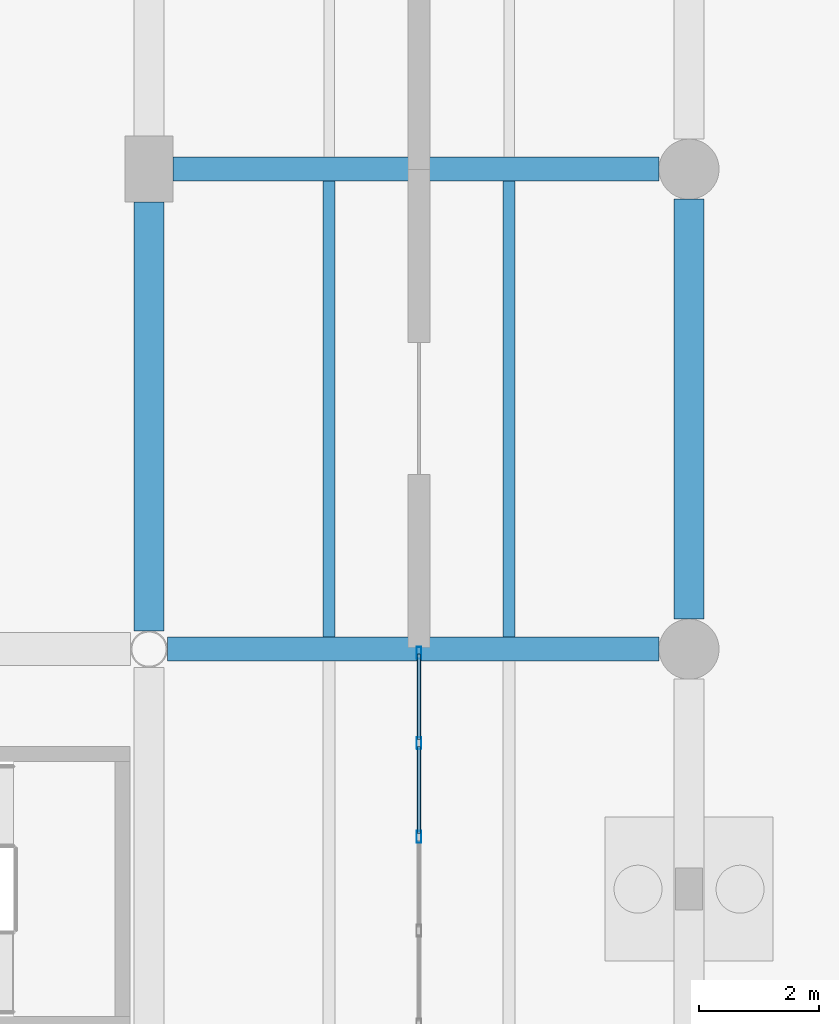
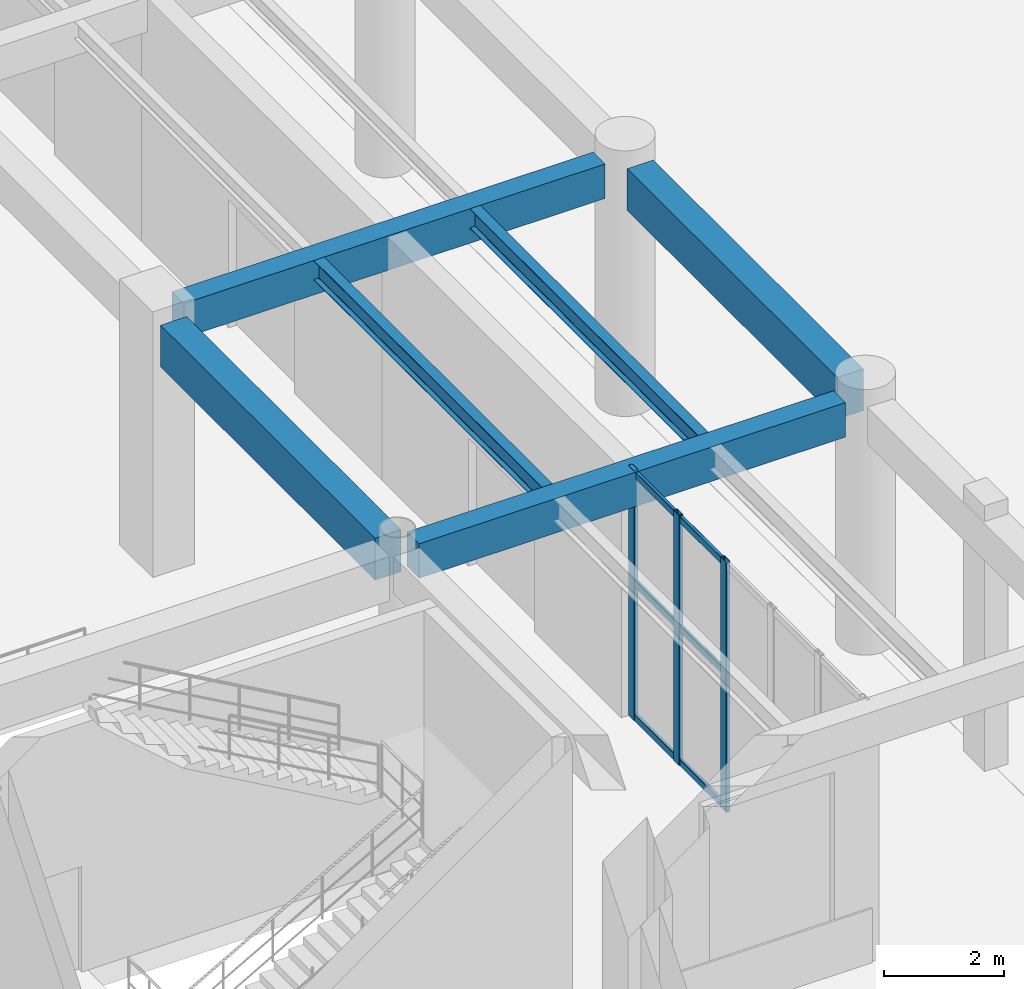
# One storey, part 25 of 121: 9 members, 6 beams, 1 element without a shape of its own.
"""IFC4 building model written with IfcOpenShell, lengths in metres."""

from ifc_helpers import new_model, si_unit, derived_unit, direction, frame, origin, origin_2d, place, context, subcontext, project, spatial, rectangle, hollow_rectangle, i_section, extrude, material, material_profile, profile_set, type_object, element, aggregate, save


model = new_model("IFC4")

# Units and contexts
model_context = context("Model", 3, precision=1e-05, world=origin(), true_north=direction((0.0, 1.0)))
body_context = subcontext(model_context, "Body", "Model", "MODEL_VIEW")
ifc_project = project(units=[si_unit("LENGTHUNIT", "METRE"), si_unit("AREAUNIT", "SQUARE_METRE"), si_unit("VOLUMEUNIT", "CUBIC_METRE"), si_unit("PLANEANGLEUNIT", "RADIAN"), si_unit("MASSUNIT", "GRAM", prefix="KILO"), derived_unit("THERMALTRANSMITTANCEUNIT", [(si_unit("MASSUNIT", "GRAM", prefix="KILO"), 1), (si_unit("TIMEUNIT", "SECOND"), -3), (si_unit("THERMODYNAMICTEMPERATUREUNIT", "KELVIN"), -1)])], contexts=[model_context])

# Site, building, storey
site_placement = place(None, origin())
site = spatial("IfcSite", under=ifc_project, at=site_placement, CompositionType="ELEMENT")
building_placement = place(site_placement, origin())
building = spatial("IfcBuilding", under=site, at=building_placement, Name="Zhenchuan Archway Interchange", CompositionType="ELEMENT")
storey_placement = place(building_placement, origin())
storey = spatial("IfcBuildingStorey", under=building, at=storey_placement, Name="L00", CompositionType="ELEMENT", Elevation=0.0)

# Beams
ifc_material_1 = material(Name="Concrete C40", Category="concrete")
ifc_material_profile_1 = material_profile(ifc_material_1, rectangle(XDim=0.5, YDim=0.85009765625, at=origin_2d()), Name="RC 500x850")
ifc_profile_set_1 = profile_set([ifc_material_profile_1], Name="Concrete C40")
beam_type_1 = type_object("IfcBeamType", Name="BM_RC_500x850", PredefinedType="BEAM", material=ifc_profile_set_1)
beam_1_placement = place(storey_placement, frame((63.0, 32.304931640625, 4.655029296875), z_axis=(0.0, 1.0, 0.0), x_axis=(-1.0, 0.0, 0.0)))
element("IfcBeam", 1, at=beam_1_placement, inside=storey, type_object=beam_type_1, Name="Beam 8:E-F (L00)", PredefinedType="BEAM", context=body_context, shape_type="SweptSolid", body=[
    extrude(rectangle(XDim=0.5, YDim=0.85009765625, at=origin_2d()), origin(), (0.0, 0.0, 1.0), 7.14501953125),
])
beam_2_placement = place(storey_placement, frame((72.0, 32.5, 4.655029296875), z_axis=(0.0, 1.0, 0.0), x_axis=(-1.0, 0.0, 0.0)))
element("IfcBeam", 2, at=beam_2_placement, inside=storey, type_object=beam_type_1, Name="Beam 9:E-F (L00)", PredefinedType="BEAM", context=body_context, shape_type="SweptSolid", body=[
    extrude(rectangle(XDim=0.5, YDim=0.85009765625, at=origin_2d()), origin(), (0.0, 0.0, 1.0), 7.0),
])

# Curtain wall, members
ifc_material_2 = material(Name="Anodised Aluminium", Category="aluminium")
curtain_wall_type = type_object("IfcCurtainWallType", Name="CW_UNIT_1", PredefinedType="NOTDEFINED", material=ifc_material_2)
curtain_wall_placement = place(storey_placement, origin())
curtain_wall = element("IfcCurtainWall", 3, at=curtain_wall_placement, inside=storey, type_object=curtain_wall_type, Name="Unitised curtain wall CW:L00:008", PredefinedType="NOTDEFINED")
ifc_material_profile_2 = material_profile(ifc_material_2, hollow_rectangle(XDim=0.080078125, YDim=0.199951171875, WallThickness=0.00439453125, InnerFilletRadius=0.00439453125, OuterFilletRadius=0.009033203125, at=origin_2d()), Name="ALU 200x80x4.5")
ifc_profile_set_2 = profile_set([ifc_material_profile_2], Name="Anodised Aluminium")
member_type_1 = type_object("IfcMemberType", Name="CW_MUL_200", PredefinedType="MULLION", material=ifc_profile_set_2)
member_1_placement = place(storey_placement, frame((67.5, 31.93994140625, 0.0), z_axis=(0.0, 0.0, 1.0), x_axis=(1.0, 0.0, 0.0)))
member_1 = element("IfcMember", 4, at=member_1_placement, type_object=member_type_1, Name="CW:L00:008 mullion 0", PredefinedType="MULLION", context=body_context, shape_type="SweptSolid", body=[
    extrude(hollow_rectangle(XDim=0.080078125, YDim=0.199951171875, WallThickness=0.00439453125, InnerFilletRadius=0.00439453125, OuterFilletRadius=0.009033203125, at=origin_2d()), origin(), (0.0, 0.0, 1.0), 5.080078125),
])
member_2_placement = place(storey_placement, frame((67.5, 30.43603515625, 0.0), z_axis=(0.0, 0.0, 1.0), x_axis=(1.0, 0.0, 0.0)))
member_2 = element("IfcMember", 5, at=member_2_placement, type_object=member_type_1, Name="CW:L00:008 mullion 1", PredefinedType="MULLION", context=body_context, shape_type="SweptSolid", body=[
    extrude(hollow_rectangle(XDim=0.080078125, YDim=0.199951171875, WallThickness=0.00439453125, InnerFilletRadius=0.00439453125, OuterFilletRadius=0.009033203125, at=origin_2d()), origin(), (0.0, 0.0, 1.0), 5.080078125),
])
member_3_placement = place(storey_placement, frame((67.5, 28.8720703125, 0.0), z_axis=(0.0, 0.0, 1.0), x_axis=(1.0, 0.0, 0.0)))
member_3 = element("IfcMember", 6, at=member_3_placement, type_object=member_type_1, Name="CW:L00:008 mullion 2", PredefinedType="MULLION", context=body_context, shape_type="SweptSolid", body=[
    extrude(hollow_rectangle(XDim=0.080078125, YDim=0.199951171875, WallThickness=0.00439453125, InnerFilletRadius=0.00439453125, OuterFilletRadius=0.009033203125, at=origin_2d()), origin(), (0.0, 0.0, 1.0), 5.080078125),
])
ifc_material_profile_3 = material_profile(ifc_material_2, hollow_rectangle(XDim=0.06005859375, YDim=0.139892578125, WallThickness=0.00341796875, InnerFilletRadius=0.00341796875, OuterFilletRadius=0.007080078125, at=origin_2d()), Name="ALU 140x60x3.5")
ifc_profile_set_3 = profile_set([ifc_material_profile_3], Name="Anodised Aluminium")
member_type_2 = type_object("IfcMemberType", Name="CW_TRN_140", PredefinedType="USERDEFINED", material=ifc_profile_set_3)
member_4_placement = place(storey_placement, frame((67.5, 31.919921875, 0.06005859375), z_axis=(0.0, -1.0, 0.0), x_axis=(1.0, 0.0, 0.0)))
member_4 = element("IfcMember", 7, at=member_4_placement, type_object=member_type_2, Name="CW:L00:008 transom 0-1", ObjectType="TRANSOM", PredefinedType="USERDEFINED", context=body_context, shape_type="SweptSolid", body=[
    extrude(hollow_rectangle(XDim=0.06005859375, YDim=0.139892578125, WallThickness=0.00341796875, InnerFilletRadius=0.00341796875, OuterFilletRadius=0.007080078125, at=origin_2d()), origin(), (0.0, 0.0, 1.0), 1.423828125),
])
member_5_placement = place(storey_placement, frame((67.5, 31.919921875, 2.782958984375), z_axis=(0.0, -1.0, 0.0), x_axis=(1.0, 0.0, 0.0)))
member_5 = element("IfcMember", 8, at=member_5_placement, type_object=member_type_2, Name="CW:L00:008 transom 0-2", ObjectType="TRANSOM", PredefinedType="USERDEFINED", context=body_context, shape_type="SweptSolid", body=[
    extrude(hollow_rectangle(XDim=0.06005859375, YDim=0.139892578125, WallThickness=0.00341796875, InnerFilletRadius=0.00341796875, OuterFilletRadius=0.007080078125, at=origin_2d()), origin(), (0.0, 0.0, 1.0), 1.423828125),
])
member_6_placement = place(storey_placement, frame((67.5, 31.919921875, 5.0), z_axis=(0.0, -1.0, 0.0), x_axis=(1.0, 0.0, 0.0)))
member_6 = element("IfcMember", 9, at=member_6_placement, type_object=member_type_2, Name="CW:L00:008 transom 0-3", ObjectType="TRANSOM", PredefinedType="USERDEFINED", context=body_context, shape_type="SweptSolid", body=[
    extrude(hollow_rectangle(XDim=0.06005859375, YDim=0.139892578125, WallThickness=0.00341796875, InnerFilletRadius=0.00341796875, OuterFilletRadius=0.007080078125, at=origin_2d()), origin(), (0.0, 0.0, 1.0), 1.423828125),
])
member_7_placement = place(storey_placement, frame((67.5, 30.3759765625, 0.06005859375), z_axis=(0.0, -1.0, 0.0), x_axis=(1.0, 0.0, 0.0)))
member_7 = element("IfcMember", 10, at=member_7_placement, type_object=member_type_2, Name="CW:L00:008 transom 1-1", ObjectType="TRANSOM", PredefinedType="USERDEFINED", context=body_context, shape_type="SweptSolid", body=[
    extrude(hollow_rectangle(XDim=0.06005859375, YDim=0.139892578125, WallThickness=0.00341796875, InnerFilletRadius=0.00341796875, OuterFilletRadius=0.007080078125, at=origin_2d()), origin(), (0.0, 0.0, 1.0), 1.444091796875),
])
member_8_placement = place(storey_placement, frame((67.5, 30.3759765625, 2.782958984375), z_axis=(0.0, -1.0, 0.0), x_axis=(1.0, 0.0, 0.0)))
member_8 = element("IfcMember", 11, at=member_8_placement, type_object=member_type_2, Name="CW:L00:008 transom 1-2", ObjectType="TRANSOM", PredefinedType="USERDEFINED", context=body_context, shape_type="SweptSolid", body=[
    extrude(hollow_rectangle(XDim=0.06005859375, YDim=0.139892578125, WallThickness=0.00341796875, InnerFilletRadius=0.00341796875, OuterFilletRadius=0.007080078125, at=origin_2d()), origin(), (0.0, 0.0, 1.0), 1.444091796875),
])
member_9_placement = place(storey_placement, frame((67.5, 30.3759765625, 5.0), z_axis=(0.0, -1.0, 0.0), x_axis=(1.0, 0.0, 0.0)))
member_9 = element("IfcMember", 12, at=member_9_placement, type_object=member_type_2, Name="CW:L00:008 transom 1-3", ObjectType="TRANSOM", PredefinedType="USERDEFINED", context=body_context, shape_type="SweptSolid", body=[
    extrude(hollow_rectangle(XDim=0.06005859375, YDim=0.139892578125, WallThickness=0.00341796875, InnerFilletRadius=0.00341796875, OuterFilletRadius=0.007080078125, at=origin_2d()), origin(), (0.0, 0.0, 1.0), 1.444091796875),
])
aggregate(curtain_wall, [member_1, member_2, member_3, member_4, member_5, member_6, member_7, member_8, member_9])

# Beams
ifc_material_3 = material(Name="Steel Q355", Category="steel")
ifc_material_profile_4 = material_profile(ifc_material_3, i_section(OverallWidth=0.199951171875, OverallDepth=0.39990234375, WebThickness=0.008056640625, FlangeThickness=0.012939453125, FilletRadius=0.01611328125, at=origin_2d()), Name="HN 400x200")
ifc_profile_set_4 = profile_set([ifc_material_profile_4], Name="Steel Q355")
beam_type_2 = type_object("IfcBeamType", Name="JST_STL_HN400", PredefinedType="JOIST", material=ifc_profile_set_4)
for number, where, z_axis, x_axis, name in (
    (13, (66.0, 32.199951171875, 4.8798828125), (0.0, 1.0, 0.0), (-1.0, 0.0, 0.0), "Secondary joist 8-9/E-F #1 (L00)"),
    (14, (69.0, 32.199951171875, 4.8798828125), (0.0, 1.0, 0.0), (-1.0, 0.0, 0.0), "Secondary joist 8-9/E-F #2 (L00)"),
):
    element("IfcBeam", number, at=place(storey_placement, frame(where, z_axis=z_axis, x_axis=x_axis)), inside=storey, type_object=beam_type_2, Name=name, PredefinedType="JOIST", context=body_context, shape_type="SweptSolid", body=[
        extrude(i_section(OverallWidth=0.199951171875, OverallDepth=0.39990234375, WebThickness=0.008056640625, FlangeThickness=0.012939453125, FilletRadius=0.01611328125, at=origin_2d()), origin(), (0.0, 0.0, 1.0), 7.60009765625),
    ])
ifc_material_profile_5 = material_profile(ifc_material_1, rectangle(XDim=0.39990234375, YDim=0.699951171875, at=origin_2d()), Name="RC 400x700")
ifc_profile_set_5 = profile_set([ifc_material_profile_5], Name="Concrete C40")
beam_type_3 = type_object("IfcBeamType", Name="SP_RC_400x700", PredefinedType="SPANDREL", material=ifc_profile_set_5)
beam_3_placement = place(storey_placement, frame((63.304931640625, 32.0, 4.72998046875), z_axis=(1.0, 0.0, 0.0), x_axis=(0.0, 1.0, 0.0)))
element("IfcBeam", 15, at=beam_3_placement, inside=storey, type_object=beam_type_3, Name="Beam E:8-9 (L00)", PredefinedType="SPANDREL", context=body_context, shape_type="SweptSolid", body=[
    extrude(rectangle(XDim=0.39990234375, YDim=0.699951171875, at=origin_2d()), origin(), (0.0, 0.0, 1.0), 8.195068359375),
])
beam_4_placement = place(storey_placement, frame((63.39990234375, 40.0, 4.72998046875), z_axis=(1.0, 0.0, 0.0), x_axis=(0.0, 1.0, 0.0)))
element("IfcBeam", 16, at=beam_4_placement, inside=storey, type_object=beam_type_3, Name="Beam F:8-9 (L00)", PredefinedType="SPANDREL", context=body_context, shape_type="SweptSolid", body=[
    extrude(rectangle(XDim=0.39990234375, YDim=0.699951171875, at=origin_2d()), origin(), (0.0, 0.0, 1.0), 8.10009765625),
])

save(model, "model.ifc")
